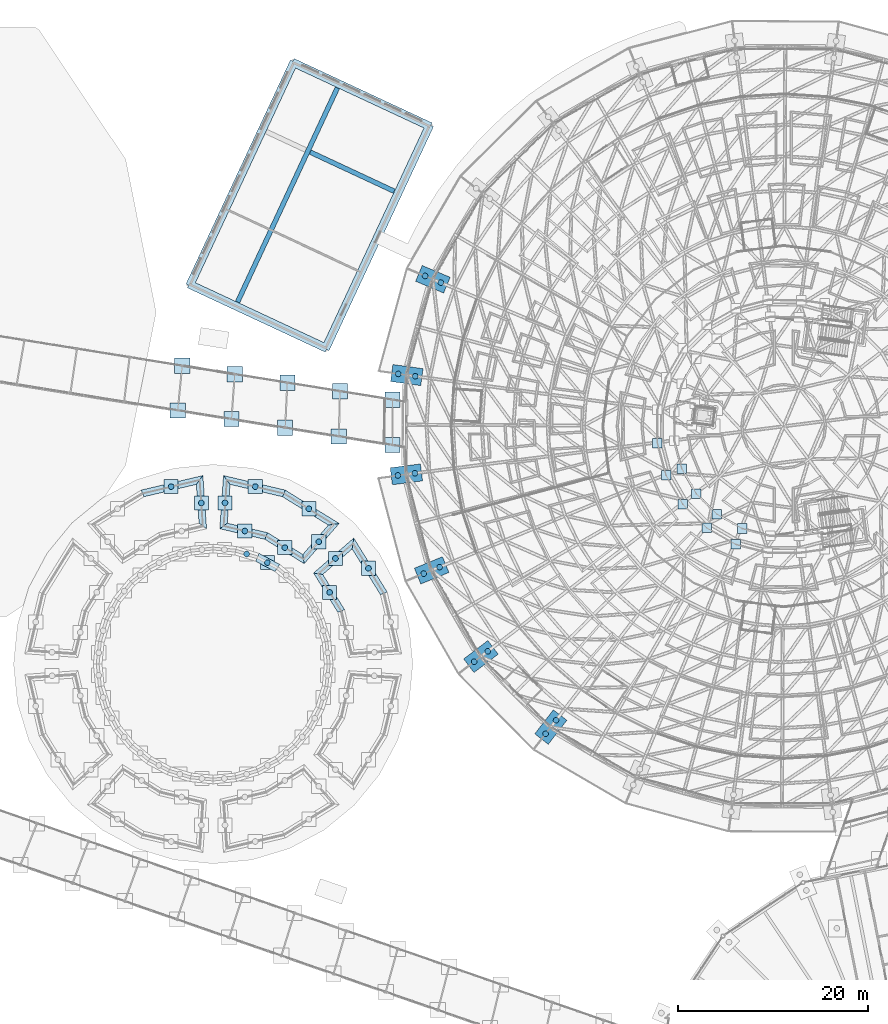
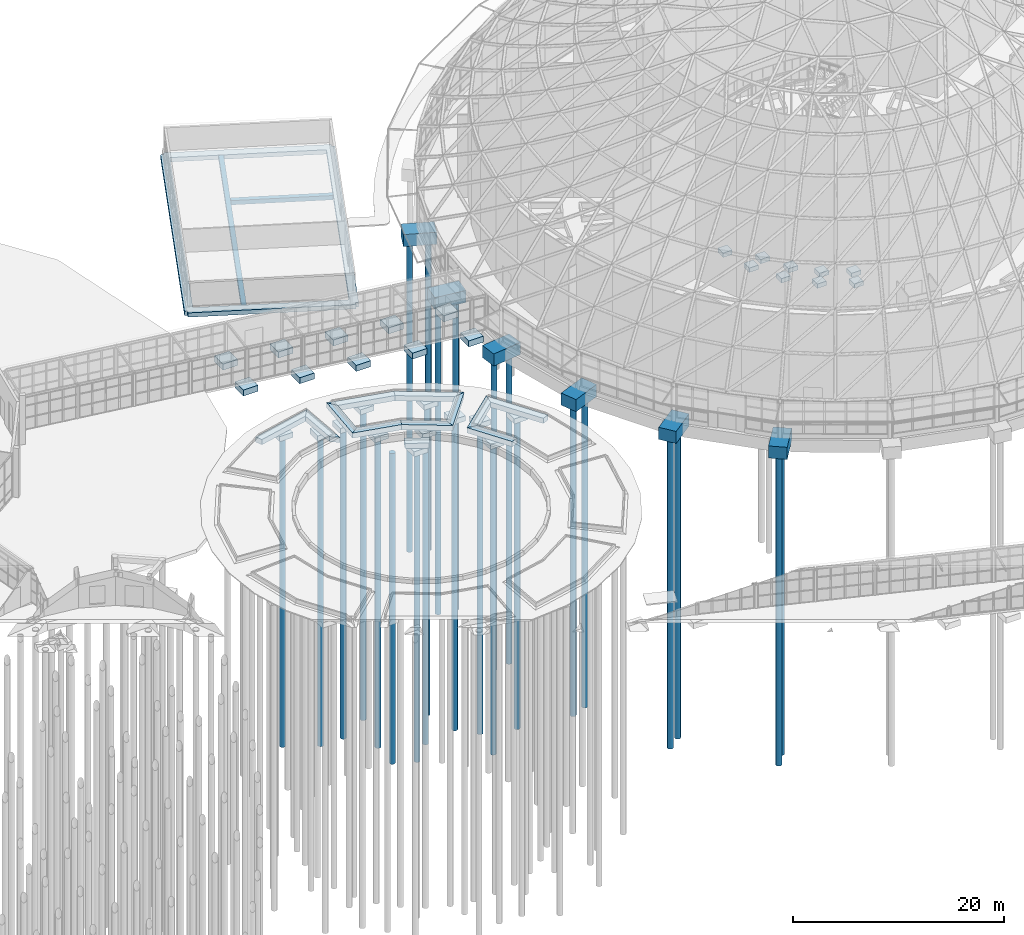
# One storey, part 6 of 226: 52 footings, 25 piles.
"""IFC4 building model written with IfcOpenShell, lengths in metres."""

from ifc_helpers import new_model, si_unit, direction, frame, origin, origin_2d, place, context, subcontext, project, spatial, polyline, circle, outline, extrude, material, layer, layer_set, material_profile, profile_set, type_object, element, save


model = new_model("IFC4")

# Units and contexts
model_context = context("Model", 3, precision=1e-05, world=origin(), true_north=direction((0.0, 1.0)))
body_context = subcontext(model_context, "Body", "Model", "MODEL_VIEW")
ifc_project = project(units=[si_unit("LENGTHUNIT", "METRE"), si_unit("AREAUNIT", "SQUARE_METRE"), si_unit("VOLUMEUNIT", "CUBIC_METRE"), si_unit("PLANEANGLEUNIT", "RADIAN"), si_unit("MASSUNIT", "GRAM", prefix="KILO")], contexts=[model_context])

# Site, building, storey
site_placement = place(None, origin())
site = spatial("IfcSite", under=ifc_project, at=site_placement, CompositionType="ELEMENT")
building_placement = place(site_placement, origin())
building = spatial("IfcBuilding", under=site, at=building_placement, Name="Ceibo Conservatory and Research Tower", CompositionType="ELEMENT")
storey_placement = place(building_placement, origin())
storey = spatial("IfcBuildingStorey", under=building, at=storey_placement, Name="L00", CompositionType="ELEMENT", Elevation=0.0)

# Footings
ifc_material_1 = material(Name="Concrete C40/50", Category="concrete")
ifc_layer_1 = layer(ifc_material_1, 0.5)
ifc_layer_set_1 = layer_set([ifc_layer_1], Name="Concrete C40/50")
footing_type_1 = type_object("IfcFootingType", Name="Annex strip footing 500", PredefinedType="STRIP_FOOTING", material=ifc_layer_set_1)
footing_1_placement = place(storey_placement, frame((0.0, 0.0, -0.75)))
element("IfcFooting", 1, at=footing_1_placement, inside=storey, type_object=footing_type_1, Name="Annex strip footing A-AXF1", PredefinedType="STRIP_FOOTING", context=body_context, shape_type="SweptSolid", body=[
    extrude(outline(polyline([(98.78515625, 120.964599609375), (109.29150390625, 143.49560546875), (108.83837890625, 143.706787109375), (98.33203125, 121.176025390625), (98.78515625, 120.964599609375)])), origin(), (0.0, 0.0, 1.0), 0.5),
])
footing_2_placement = place(storey_placement, frame((0.0, 0.0, -0.75)))
element("IfcFooting", 2, at=footing_2_placement, inside=storey, type_object=footing_type_1, Name="Annex strip footing A-AXF2", PredefinedType="STRIP_FOOTING", context=body_context, shape_type="SweptSolid", body=[
    extrude(outline(polyline([(115.14794921875, 132.95263671875), (106.3173828125, 137.0703125), (106.106201171875, 136.6171875), (114.9365234375, 132.49951171875), (115.14794921875, 132.95263671875)])), origin(), (0.0, 0.0, 1.0), 0.5),
])

# Piles
ifc_material_2 = material(Name="Concrete C35/45", Category="concrete")
ifc_material_profile = material_profile(ifc_material_2, circle(Radius=0.300048828125, at=origin_2d()), Name="RC D600")
ifc_profile_set = profile_set([ifc_material_profile], Name="Concrete C35/45")
pile_type = type_object("IfcPileType", Name="Bored pile D600", PredefinedType="BORED", material=ifc_profile_set)
for number, where, z_axis, x_axis, name in (
    (3, (119.94189453125, 123.120361328125, -1.300048828125), (0.0, 0.0, -1.0), (1.0, 0.0, 0.0), "Pile DA.CAP.L00.11 01"),
    (4, (118.281982421875, 123.81640625, -1.300048828125), (0.0, 0.0, -1.0), (1.0, 0.0, 0.0), "Pile DA.CAP.L00.11 02"),
    (5, (117.257080078125, 113.272705078125, -1.300048828125), (0.0, 0.0, -1.0), (1.0, 0.0, 0.0), "Pile DA.CAP.L00.12 01"),
    (6, (115.4736328125, 113.515380859375, -1.300048828125), (0.0, 0.0, -1.0), (1.0, 0.0, 0.0), "Pile DA.CAP.L00.12 02"),
    (7, (117.212646484375, 103.065673828125, -1.300048828125), (0.0, 0.0, -1.0), (1.0, 0.0, 0.0), "Pile DA.CAP.L00.13 01"),
    (8, (115.427001953125, 102.83837890625, -1.300048828125), (0.0, 0.0, -1.0), (1.0, 0.0, 0.0), "Pile DA.CAP.L00.13 02"),
    (9, (119.811279296875, 93.19482421875, -1.300048828125), (0.0, 0.0, -1.0), (1.0, 0.0, 0.0), "Pile DA.CAP.L00.14 01"),
    (10, (118.1455078125, 92.51318359375, -1.300048828125), (0.0, 0.0, -1.0), (1.0, 0.0, 0.0), "Pile DA.CAP.L00.14 02"),
    (11, (124.876220703125, 84.3330078125, -1.300048828125), (0.0, 0.0, -1.0), (1.0, 0.0, 0.0), "Pile DA.CAP.L00.15 01"),
    (12, (123.443603515625, 83.243408203125, -1.300048828125), (0.0, 0.0, -1.0), (1.0, 0.0, 0.0), "Pile DA.CAP.L00.15 02"),
    (13, (132.062255859375, 77.083984375, -1.300048828125), (0.0, 0.0, -1.0), (1.0, 0.0, 0.0), "Pile DA.CAP.L00.16 01"),
    (14, (130.960205078125, 75.660888671875, -1.300048828125), (0.0, 0.0, -1.0), (1.0, 0.0, 0.0), "Pile DA.CAP.L00.16 02"),
    (15, (101.7021484375, 93.66796875, -1.550048828125), (0.0, 0.0, -1.0), (1.0, 0.0, 0.0), "Pile CARRY.SITE.STRIP.COURT.BASIN.KERB.F06 01"),
    (16, (99.511474609375, 94.575439453125, -1.550048828125), (0.0, 0.0, -1.0), (1.0, 0.0, 0.0), "Pile CARRY.SITE.STRIP.COURT.BASIN.KERB.F07 01"),
    (17, (112.328369140625, 93.065673828125, -1.10009765625), (0.0, 0.0, -1.0), (1.0, 0.0, 0.0), "Pile CARRY.SITE.STRIP.COURT.PB1.KERB.F03 01"),
    (18, (108.859619140625, 94.105224609375, -1.10009765625), (0.0, 0.0, -1.0), (1.0, 0.0, 0.0), "Pile CARRY.SITE.STRIP.COURT.PB1.KERB.F04 01"),
    (19, (108.245849609375, 90.537353515625, -1.10009765625), (0.0, 0.0, -1.0), (1.0, 0.0, 0.0), "Pile CARRY.SITE.STRIP.COURT.PB1.KERB.F05 01"),
    (20, (107.105224609375, 95.859619140625, -1.10009765625), (0.0, 0.0, -1.0), (1.0, 0.0, 0.0), "Pile CARRY.SITE.STRIP.COURT.PB2.KERB.F01 01"),
    (21, (106.065673828125, 99.328369140625, -1.10009765625), (0.0, 0.0, -1.0), (1.0, 0.0, 0.0), "Pile CARRY.SITE.STRIP.COURT.PB2.KERB.F02 01"),
    (22, (100.428466796875, 101.663330078125, -1.10009765625), (0.0, 0.0, -1.0), (1.0, 0.0, 0.0), "Pile CARRY.SITE.STRIP.COURT.PB2.KERB.F03 01"),
    (23, (97.240478515625, 99.94580078125, -1.10009765625), (0.0, 0.0, -1.0), (1.0, 0.0, 0.0), "Pile CARRY.SITE.STRIP.COURT.PB2.KERB.F04 01"),
    (24, (99.329345703125, 96.98876953125, -1.10009765625), (0.0, 0.0, -1.0), (1.0, 0.0, 0.0), "Pile CARRY.SITE.STRIP.COURT.PB2.KERB.F05 01"),
    (25, (103.537353515625, 95.245849609375, -1.10009765625), (0.0, 0.0, -1.0), (1.0, 0.0, 0.0), "Pile CARRY.SITE.STRIP.COURT.PB2.KERB.F06 01"),
    (26, (94.759521484375, 99.94580078125, -1.10009765625), (0.0, 0.0, -1.0), (1.0, 0.0, 0.0), "Pile CARRY.SITE.STRIP.COURT.PB3.KERB.F01 01"),
    (27, (91.571533203125, 101.663330078125, -1.10009765625), (0.0, 0.0, -1.0), (1.0, 0.0, 0.0), "Pile CARRY.SITE.STRIP.COURT.PB3.KERB.F02 01"),
):
    element("IfcPile", number, at=place(storey_placement, frame(where, z_axis=z_axis, x_axis=x_axis)), inside=storey, type_object=pile_type, Name=name, PredefinedType="BORED", context=body_context, shape_type="SweptSolid", body=[
        extrude(circle(Radius=0.300048828125, at=origin_2d()), origin(), (0.0, 0.0, 1.0), 36.0),
    ])

# Footings
ifc_layer_2 = layer(ifc_material_1, 0.699951171875)
ifc_layer_set_2 = layer_set([ifc_layer_2], Name="Concrete C40/50")
footing_type_2 = type_object("IfcFootingType", Name="Pad footing 1600x1600x700", PredefinedType="PAD_FOOTING", material=ifc_layer_set_2)
footing_3_placement = place(storey_placement, frame((0.0, 0.0, -0.949951171875)))
element("IfcFooting", 28, at=footing_3_placement, inside=storey, type_object=footing_type_2, Name="Pad footing GAL.CAP.L00.A-RT.N01", PredefinedType="PAD_FOOTING", context=body_context, shape_type="SweptSolid", body=[
    extrude(outline(polyline([(114.05126953125, 105.2333984375), (115.6513671875, 105.2333984375), (115.6513671875, 106.833251953125), (114.05126953125, 106.833251953125), (114.05126953125, 105.2333984375)])), origin(), (0.0, 0.0, 1.0), 0.699951171875),
])
footing_4_placement = place(storey_placement, frame((0.0, 0.0, -0.949951171875)))
element("IfcFooting", 29, at=footing_4_placement, inside=storey, type_object=footing_type_2, Name="Pad footing GAL.CAP.L00.A-RT.S01", PredefinedType="PAD_FOOTING", context=body_context, shape_type="SweptSolid", body=[
    extrude(outline(polyline([(114.072021484375, 109.990966796875), (115.672119140625, 109.990966796875), (115.672119140625, 111.5908203125), (114.072021484375, 111.5908203125), (114.072021484375, 109.990966796875)])), origin(), (0.0, 0.0, 1.0), 0.699951171875),
])
footing_5_placement = place(storey_placement, frame((0.0, 0.0, -0.949951171875)))
element("IfcFooting", 30, at=footing_5_placement, inside=storey, type_object=footing_type_2, Name="Pad footing GAL.CAP.L00.A-RT.N02", PredefinedType="PAD_FOOTING", context=body_context, shape_type="SweptSolid", body=[
    extrude(outline(polyline([(108.40625, 106.144775390625), (110.00634765625, 106.144775390625), (110.00634765625, 107.744873046875), (108.40625, 107.744873046875), (108.40625, 106.144775390625)])), origin(), (0.0, 0.0, 1.0), 0.699951171875),
])
footing_6_placement = place(storey_placement, frame((0.0, 0.0, -0.949951171875)))
element("IfcFooting", 31, at=footing_6_placement, inside=storey, type_object=footing_type_2, Name="Pad footing GAL.CAP.L00.A-RT.S02", PredefinedType="PAD_FOOTING", context=body_context, shape_type="SweptSolid", body=[
    extrude(outline(polyline([(108.539306640625, 110.88427734375), (110.13916015625, 110.88427734375), (110.13916015625, 112.484130859375), (108.539306640625, 112.484130859375), (108.539306640625, 110.88427734375)])), origin(), (0.0, 0.0, 1.0), 0.699951171875),
])
footing_7_placement = place(storey_placement, frame((0.0, 0.0, -0.949951171875)))
element("IfcFooting", 32, at=footing_7_placement, inside=storey, type_object=footing_type_2, Name="Pad footing GAL.CAP.L00.A-RT.N03", PredefinedType="PAD_FOOTING", context=body_context, shape_type="SweptSolid", body=[
    extrude(outline(polyline([(102.76123046875, 107.05615234375), (104.361328125, 107.05615234375), (104.361328125, 108.65625), (102.76123046875, 108.65625), (102.76123046875, 107.05615234375)])), origin(), (0.0, 0.0, 1.0), 0.699951171875),
])
footing_8_placement = place(storey_placement, frame((0.0, 0.0, -0.949951171875)))
element("IfcFooting", 33, at=footing_8_placement, inside=storey, type_object=footing_type_2, Name="Pad footing GAL.CAP.L00.A-RT.S03", PredefinedType="PAD_FOOTING", context=body_context, shape_type="SweptSolid", body=[
    extrude(outline(polyline([(103.00634765625, 111.777587890625), (104.606201171875, 111.777587890625), (104.606201171875, 113.37744140625), (103.00634765625, 113.37744140625), (103.00634765625, 111.777587890625)])), origin(), (0.0, 0.0, 1.0), 0.699951171875),
])
footing_9_placement = place(storey_placement, frame((0.0, 0.0, -0.949951171875)))
element("IfcFooting", 34, at=footing_9_placement, inside=storey, type_object=footing_type_2, Name="Pad footing GAL.CAP.L00.A-RT.N04", PredefinedType="PAD_FOOTING", context=body_context, shape_type="SweptSolid", body=[
    extrude(outline(polyline([(97.1162109375, 107.967529296875), (98.71630859375, 107.967529296875), (98.71630859375, 109.567626953125), (97.1162109375, 109.567626953125), (97.1162109375, 107.967529296875)])), origin(), (0.0, 0.0, 1.0), 0.699951171875),
])
footing_10_placement = place(storey_placement, frame((0.0, 0.0, -0.949951171875)))
element("IfcFooting", 35, at=footing_10_placement, inside=storey, type_object=footing_type_2, Name="Pad footing GAL.CAP.L00.A-RT.S04", PredefinedType="PAD_FOOTING", context=body_context, shape_type="SweptSolid", body=[
    extrude(outline(polyline([(97.473388671875, 112.6708984375), (99.0732421875, 112.6708984375), (99.0732421875, 114.270751953125), (97.473388671875, 114.270751953125), (97.473388671875, 112.6708984375)])), origin(), (0.0, 0.0, 1.0), 0.699951171875),
])
footing_11_placement = place(storey_placement, frame((0.0, 0.0, -0.949951171875)))
element("IfcFooting", 36, at=footing_11_placement, inside=storey, type_object=footing_type_2, Name="Pad footing GAL.CAP.L00.A-RT.N05", PredefinedType="PAD_FOOTING", context=body_context, shape_type="SweptSolid", body=[
    extrude(outline(polyline([(91.47119140625, 108.879150390625), (93.0712890625, 108.879150390625), (93.0712890625, 110.47900390625), (91.47119140625, 110.47900390625), (91.47119140625, 108.879150390625)])), origin(), (0.0, 0.0, 1.0), 0.699951171875),
])
footing_12_placement = place(storey_placement, frame((0.0, 0.0, -0.949951171875)))
element("IfcFooting", 37, at=footing_12_placement, inside=storey, type_object=footing_type_2, Name="Pad footing GAL.CAP.L00.A-RT.S05", PredefinedType="PAD_FOOTING", context=body_context, shape_type="SweptSolid", body=[
    extrude(outline(polyline([(91.9404296875, 113.564208984375), (93.540283203125, 113.564208984375), (93.540283203125, 115.1640625), (91.9404296875, 115.1640625), (91.9404296875, 113.564208984375)])), origin(), (0.0, 0.0, 1.0), 0.699951171875),
])
ifc_layer_3 = layer(ifc_material_1, 0.60009765625)
ifc_layer_set_3 = layer_set([ifc_layer_3], Name="Concrete C40/50")
footing_type_3 = type_object("IfcFootingType", Name="Pile cap 1500x1500x600", PredefinedType="PILE_CAP", material=ifc_layer_set_3)
footing_13_placement = place(storey_placement, frame((0.0, 0.0, -1.64990234375)))
element("IfcFooting", 38, at=footing_13_placement, inside=storey, type_object=footing_type_3, Name="Pile cap CARRY.SITE.STRIP.COURT.BASIN.KERB.F06", PredefinedType="PILE_CAP", context=body_context, shape_type="SweptSolid", body=[
    extrude(outline(polyline([(102.4521484375, 92.91796875), (102.4521484375, 94.41796875), (100.9521484375, 94.41796875), (100.9521484375, 92.91796875), (102.4521484375, 92.91796875)])), origin(), (0.0, 0.0, 1.0), 0.599853515625),
])
footing_14_placement = place(storey_placement, frame((0.0, 0.0, -1.199951171875)))
element("IfcFooting", 39, at=footing_14_placement, inside=storey, type_object=footing_type_3, Name="Pile cap CARRY.SITE.STRIP.COURT.PB1.KERB.F03", PredefinedType="PILE_CAP", context=body_context, shape_type="SweptSolid", body=[
    extrude(outline(polyline([(113.078369140625, 92.315673828125), (113.078369140625, 93.815673828125), (111.578369140625, 93.815673828125), (111.578369140625, 92.315673828125), (113.078369140625, 92.315673828125)])), origin(), (0.0, 0.0, 1.0), 0.599853515625),
])
footing_15_placement = place(storey_placement, frame((0.0, 0.0, -1.199951171875)))
element("IfcFooting", 40, at=footing_15_placement, inside=storey, type_object=footing_type_3, Name="Pile cap CARRY.SITE.STRIP.COURT.PB1.KERB.F04", PredefinedType="PILE_CAP", context=body_context, shape_type="SweptSolid", body=[
    extrude(outline(polyline([(109.609619140625, 93.355224609375), (109.609619140625, 94.855224609375), (108.109619140625, 94.855224609375), (108.109619140625, 93.355224609375), (109.609619140625, 93.355224609375)])), origin(), (0.0, 0.0, 1.0), 0.599853515625),
])
footing_16_placement = place(storey_placement, frame((0.0, 0.0, -1.199951171875)))
element("IfcFooting", 41, at=footing_16_placement, inside=storey, type_object=footing_type_3, Name="Pile cap CARRY.SITE.STRIP.COURT.PB1.KERB.F05", PredefinedType="PILE_CAP", context=body_context, shape_type="SweptSolid", body=[
    extrude(outline(polyline([(108.995849609375, 89.787353515625), (108.995849609375, 91.287353515625), (107.495849609375, 91.287353515625), (107.495849609375, 89.787353515625), (108.995849609375, 89.787353515625)])), origin(), (0.0, 0.0, 1.0), 0.599853515625),
])
footing_17_placement = place(storey_placement, frame((0.0, 0.0, -1.199951171875)))
element("IfcFooting", 42, at=footing_17_placement, inside=storey, type_object=footing_type_3, Name="Pile cap CARRY.SITE.STRIP.COURT.PB2.KERB.F01", PredefinedType="PILE_CAP", context=body_context, shape_type="SweptSolid", body=[
    extrude(outline(polyline([(107.855224609375, 95.109619140625), (107.855224609375, 96.609619140625), (106.355224609375, 96.609619140625), (106.355224609375, 95.109619140625), (107.855224609375, 95.109619140625)])), origin(), (0.0, 0.0, 1.0), 0.599853515625),
])
footing_18_placement = place(storey_placement, frame((0.0, 0.0, -1.199951171875)))
element("IfcFooting", 43, at=footing_18_placement, inside=storey, type_object=footing_type_3, Name="Pile cap CARRY.SITE.STRIP.COURT.PB2.KERB.F02", PredefinedType="PILE_CAP", context=body_context, shape_type="SweptSolid", body=[
    extrude(outline(polyline([(106.815673828125, 98.578369140625), (106.815673828125, 100.078369140625), (105.315673828125, 100.078369140625), (105.315673828125, 98.578369140625), (106.815673828125, 98.578369140625)])), origin(), (0.0, 0.0, 1.0), 0.599853515625),
])
footing_19_placement = place(storey_placement, frame((0.0, 0.0, -1.199951171875)))
element("IfcFooting", 44, at=footing_19_placement, inside=storey, type_object=footing_type_3, Name="Pile cap CARRY.SITE.STRIP.COURT.PB2.KERB.F03", PredefinedType="PILE_CAP", context=body_context, shape_type="SweptSolid", body=[
    extrude(outline(polyline([(101.178466796875, 100.913330078125), (101.178466796875, 102.413330078125), (99.678466796875, 102.413330078125), (99.678466796875, 100.913330078125), (101.178466796875, 100.913330078125)])), origin(), (0.0, 0.0, 1.0), 0.599853515625),
])
footing_20_placement = place(storey_placement, frame((0.0, 0.0, -1.199951171875)))
element("IfcFooting", 45, at=footing_20_placement, inside=storey, type_object=footing_type_3, Name="Pile cap CARRY.SITE.STRIP.COURT.PB2.KERB.F04", PredefinedType="PILE_CAP", context=body_context, shape_type="SweptSolid", body=[
    extrude(outline(polyline([(97.990478515625, 99.19580078125), (97.990478515625, 100.69580078125), (96.490478515625, 100.69580078125), (96.490478515625, 99.19580078125), (97.990478515625, 99.19580078125)])), origin(), (0.0, 0.0, 1.0), 0.599853515625),
])
footing_21_placement = place(storey_placement, frame((0.0, 0.0, -1.199951171875)))
element("IfcFooting", 46, at=footing_21_placement, inside=storey, type_object=footing_type_3, Name="Pile cap CARRY.SITE.STRIP.COURT.PB2.KERB.F05", PredefinedType="PILE_CAP", context=body_context, shape_type="SweptSolid", body=[
    extrude(outline(polyline([(100.079345703125, 96.23876953125), (100.079345703125, 97.73876953125), (98.579345703125, 97.73876953125), (98.579345703125, 96.23876953125), (100.079345703125, 96.23876953125)])), origin(), (0.0, 0.0, 1.0), 0.599853515625),
])
footing_22_placement = place(storey_placement, frame((0.0, 0.0, -1.199951171875)))
element("IfcFooting", 47, at=footing_22_placement, inside=storey, type_object=footing_type_3, Name="Pile cap CARRY.SITE.STRIP.COURT.PB2.KERB.F06", PredefinedType="PILE_CAP", context=body_context, shape_type="SweptSolid", body=[
    extrude(outline(polyline([(104.287353515625, 94.495849609375), (104.287353515625, 95.995849609375), (102.787353515625, 95.995849609375), (102.787353515625, 94.495849609375), (104.287353515625, 94.495849609375)])), origin(), (0.0, 0.0, 1.0), 0.599853515625),
])
footing_23_placement = place(storey_placement, frame((0.0, 0.0, -1.199951171875)))
element("IfcFooting", 48, at=footing_23_placement, inside=storey, type_object=footing_type_3, Name="Pile cap CARRY.SITE.STRIP.COURT.PB3.KERB.F01", PredefinedType="PILE_CAP", context=body_context, shape_type="SweptSolid", body=[
    extrude(outline(polyline([(95.509521484375, 99.19580078125), (95.509521484375, 100.69580078125), (94.009521484375, 100.69580078125), (94.009521484375, 99.19580078125), (95.509521484375, 99.19580078125)])), origin(), (0.0, 0.0, 1.0), 0.599853515625),
])
footing_24_placement = place(storey_placement, frame((0.0, 0.0, -1.199951171875)))
element("IfcFooting", 49, at=footing_24_placement, inside=storey, type_object=footing_type_3, Name="Pile cap CARRY.SITE.STRIP.COURT.PB3.KERB.F02", PredefinedType="PILE_CAP", context=body_context, shape_type="SweptSolid", body=[
    extrude(outline(polyline([(92.321533203125, 100.913330078125), (92.321533203125, 102.413330078125), (90.821533203125, 102.413330078125), (90.821533203125, 100.913330078125), (92.321533203125, 100.913330078125)])), origin(), (0.0, 0.0, 1.0), 0.599853515625),
])
ifc_layer_4 = layer(ifc_material_1, 1.39990234375)
ifc_layer_set_4 = layer_set([ifc_layer_4], Name="Concrete C40/50")
footing_type_4 = type_object("IfcFootingType", Name="Pile cap 3200x1800x1400", PredefinedType="PILE_CAP", material=ifc_layer_set_4)
for number, where, z_axis, x_axis, name in (
    (50, (120.935546875, 123.6796875, -1.39990234375), (0.0, 0.0, 1.0), (-0.922200975168, 0.386710953296, 0.0), "Pile cap DA.CAP.L00.11"),
    (51, (118.072021484375, 114.070068359375, -1.39990234375), (0.0, 0.0, 1.0), (-0.990865897151, 0.134850932009, 0.0), "Pile cap DA.CAP.L00.12"),
    (52, (117.79345703125, 104.046875, -1.39990234375), (0.0, 0.0, 1.0), (-0.992004938793, -0.126199054713, 0.0), "Pile cap DA.CAP.L00.13"),
    (53, (120.118408203125, 94.29296875, -1.39990234375), (0.0, 0.0, 1.0), (-0.925540584393, -0.378648420887, 0.0), "Pile cap DA.CAP.L00.14"),
    (54, (124.888671875, 85.47314453125, -1.39990234375), (0.0, 0.0, 1.0), (-0.796002034428, -0.605293946101, 0.0), "Pile cap DA.CAP.L00.15"),
    (55, (131.779296875, 78.1884765625, -1.39990234375), (0.0, 0.0, 1.0), (-0.612217167116, -0.790689661174, 0.0), "Pile cap DA.CAP.L00.16"),
):
    element("IfcFooting", number, at=place(storey_placement, frame(where, z_axis=z_axis, x_axis=x_axis)), inside=storey, type_object=footing_type_4, Name=name, PredefinedType="PILE_CAP", context=body_context, shape_type="SweptSolid", body=[
        extrude(outline(polyline([(0.0, 0.0), (3.199951171875, 0.0), (3.199951171875, 1.800048828125), (0.0, 1.800048828125), (0.0, 0.0)])), origin(), (0.0, 0.0, 1.0), 1.39990234375),
    ])
ifc_layer_5 = layer(ifc_material_1, 0.5)
ifc_layer_set_5 = layer_set([ifc_layer_5], Name="Concrete C40/50")
footing_type_5 = type_object("IfcFootingType", Name="Pile cap combined 500", PredefinedType="PILE_CAP", material=ifc_layer_set_5)
footing_25_placement = place(storey_placement, frame((0.0, 0.0, -0.75)))
element("IfcFooting", 56, at=footing_25_placement, inside=storey, type_object=footing_type_5, Name="Pile cap DA.ASC.L00.01.J", PredefinedType="PILE_CAP", context=body_context, shape_type="SweptSolid", body=[
    extrude(outline(polyline([(93.28173828125, 122.571044921875), (107.78271484375, 115.80908203125), (107.909423828125, 116.0810546875), (108.181396484375, 115.954345703125), (119.16943359375, 139.518310546875), (118.8974609375, 139.64501953125), (119.0244140625, 139.9169921875), (104.5234375, 146.678955078125), (104.396728515625, 146.406982421875), (104.124755859375, 146.53369140625), (93.13671875, 122.9697265625), (93.40869140625, 122.843017578125), (93.28173828125, 122.571044921875)]), holes=[polyline([(107.6435546875, 116.81201171875), (118.166748046875, 139.379150390625), (104.66259765625, 145.676025390625), (94.139404296875, 123.10888671875), (107.6435546875, 116.81201171875)])]), origin(), (0.0, 0.0, 1.0), 0.5),
])
ifc_layer_6 = layer(ifc_material_1, 0.60009765625)
ifc_layer_set_6 = layer_set([ifc_layer_6], Name="Concrete C40/50")
footing_type_6 = type_object("IfcFootingType", Name="Strip footing 750x600", PredefinedType="STRIP_FOOTING", material=ifc_layer_set_6)
footing_26_placement = place(storey_placement, frame((0.0, 0.0, -0.60009765625)))
element("IfcFooting", 57, at=footing_26_placement, inside=storey, type_object=footing_type_6, Name="Strip footing SITE.STRIP.COURT.PB1.KERB.F03", PredefinedType="STRIP_FOOTING", context=body_context, shape_type="SweptSolid", body=[
    extrude(outline(polyline([(114.29638671875, 90.57861328125), (110.786376953125, 96.2509765625), (110.612548828125, 95.1064453125), (113.594482421875, 90.287841796875), (114.29638671875, 90.57861328125)])), origin(), (0.0, 0.0, 1.0), 0.60009765625),
])
footing_27_placement = place(storey_placement, frame((0.0, 0.0, -0.60009765625)))
element("IfcFooting", 58, at=footing_27_placement, inside=storey, type_object=footing_type_6, Name="Strip footing SITE.STRIP.COURT.PB1.KERB.F04", PredefinedType="STRIP_FOOTING", context=body_context, shape_type="SweptSolid", body=[
    extrude(outline(polyline([(110.786376953125, 96.2509765625), (106.553955078125, 92.572021484375), (107.52734375, 92.42431640625), (110.612548828125, 95.1064453125), (110.786376953125, 96.2509765625)])), origin(), (0.0, 0.0, 1.0), 0.60009765625),
])
footing_28_placement = place(storey_placement, frame((0.0, 0.0, -0.60009765625)))
element("IfcFooting", 59, at=footing_28_placement, inside=storey, type_object=footing_type_6, Name="Strip footing SITE.STRIP.COURT.PB1.KERB.F05", PredefinedType="STRIP_FOOTING", context=body_context, shape_type="SweptSolid", body=[
    extrude(outline(polyline([(106.553955078125, 92.572021484375), (109.115478515625, 88.4326171875), (109.8173828125, 88.723388671875), (107.52734375, 92.42431640625), (106.553955078125, 92.572021484375)])), origin(), (0.0, 0.0, 1.0), 0.60009765625),
])
footing_29_placement = place(storey_placement, frame((0.0, 0.0, -0.60009765625)))
element("IfcFooting", 60, at=footing_29_placement, inside=storey, type_object=footing_type_6, Name="Strip footing SITE.STRIP.COURT.PB2.KERB.F01", PredefinedType="STRIP_FOOTING", context=body_context, shape_type="SweptSolid", body=[
    extrude(outline(polyline([(105.572021484375, 93.553955078125), (109.2509765625, 97.786376953125), (108.1064453125, 97.612548828125), (105.42431640625, 94.52734375), (105.572021484375, 93.553955078125)])), origin(), (0.0, 0.0, 1.0), 0.60009765625),
])
footing_30_placement = place(storey_placement, frame((0.0, 0.0, -0.60009765625)))
element("IfcFooting", 61, at=footing_30_placement, inside=storey, type_object=footing_type_6, Name="Strip footing SITE.STRIP.COURT.PB2.KERB.F02", PredefinedType="STRIP_FOOTING", context=body_context, shape_type="SweptSolid", body=[
    extrude(outline(polyline([(109.2509765625, 97.786376953125), (103.57861328125, 101.29638671875), (103.287841796875, 100.594482421875), (108.1064453125, 97.612548828125), (109.2509765625, 97.786376953125)])), origin(), (0.0, 0.0, 1.0), 0.60009765625),
])
footing_31_placement = place(storey_placement, frame((0.0, 0.0, -0.60009765625)))
element("IfcFooting", 62, at=footing_31_placement, inside=storey, type_object=footing_type_6, Name="Strip footing SITE.STRIP.COURT.PB2.KERB.F03", PredefinedType="STRIP_FOOTING", context=body_context, shape_type="SweptSolid", body=[
    extrude(outline(polyline([(103.57861328125, 101.29638671875), (97.085693359375, 102.825439453125), (97.772216796875, 101.89306640625), (103.287841796875, 100.594482421875), (103.57861328125, 101.29638671875)])), origin(), (0.0, 0.0, 1.0), 0.60009765625),
])
footing_32_placement = place(storey_placement, frame((0.0, 0.0, -0.60009765625)))
element("IfcFooting", 63, at=footing_32_placement, inside=storey, type_object=footing_type_6, Name="Strip footing SITE.STRIP.COURT.PB2.KERB.F04", PredefinedType="STRIP_FOOTING", context=body_context, shape_type="SweptSolid", body=[
    extrude(outline(polyline([(97.085693359375, 102.825439453125), (96.6943359375, 97.231201171875), (97.487060546875, 97.81494140625), (97.772216796875, 101.89306640625), (97.085693359375, 102.825439453125)])), origin(), (0.0, 0.0, 1.0), 0.60009765625),
])
footing_33_placement = place(storey_placement, frame((0.0, 0.0, -0.60009765625)))
element("IfcFooting", 64, at=footing_33_placement, inside=storey, type_object=footing_type_6, Name="Strip footing SITE.STRIP.COURT.PB2.KERB.F05", PredefinedType="STRIP_FOOTING", context=body_context, shape_type="SweptSolid", body=[
    extrude(outline(polyline([(96.6943359375, 97.231201171875), (101.4326171875, 96.115478515625), (101.723388671875, 96.8173828125), (97.487060546875, 97.81494140625), (96.6943359375, 97.231201171875)])), origin(), (0.0, 0.0, 1.0), 0.60009765625),
])
footing_34_placement = place(storey_placement, frame((0.0, 0.0, -0.60009765625)))
element("IfcFooting", 65, at=footing_34_placement, inside=storey, type_object=footing_type_6, Name="Strip footing SITE.STRIP.COURT.PB2.KERB.F06", PredefinedType="STRIP_FOOTING", context=body_context, shape_type="SweptSolid", body=[
    extrude(outline(polyline([(101.4326171875, 96.115478515625), (105.572021484375, 93.553955078125), (105.42431640625, 94.52734375), (101.723388671875, 96.8173828125), (101.4326171875, 96.115478515625)])), origin(), (0.0, 0.0, 1.0), 0.60009765625),
])
footing_35_placement = place(storey_placement, frame((0.0, 0.0, -0.60009765625)))
element("IfcFooting", 66, at=footing_35_placement, inside=storey, type_object=footing_type_6, Name="Strip footing SITE.STRIP.COURT.PB3.KERB.F01", PredefinedType="STRIP_FOOTING", context=body_context, shape_type="SweptSolid", body=[
    extrude(outline(polyline([(95.3056640625, 97.231201171875), (94.914306640625, 102.825439453125), (94.227783203125, 101.89306640625), (94.512939453125, 97.81494140625), (95.3056640625, 97.231201171875)])), origin(), (0.0, 0.0, 1.0), 0.60009765625),
])
footing_36_placement = place(storey_placement, frame((0.0, 0.0, -0.60009765625)))
element("IfcFooting", 67, at=footing_36_placement, inside=storey, type_object=footing_type_6, Name="Strip footing SITE.STRIP.COURT.PB3.KERB.F02", PredefinedType="STRIP_FOOTING", context=body_context, shape_type="SweptSolid", body=[
    extrude(outline(polyline([(94.914306640625, 102.825439453125), (88.42138671875, 101.29638671875), (88.712158203125, 100.594482421875), (94.227783203125, 101.89306640625), (94.914306640625, 102.825439453125)])), origin(), (0.0, 0.0, 1.0), 0.60009765625),
])
ifc_layer_7 = layer(ifc_material_1, 0.60009765625)
ifc_layer_set_7 = layer_set([ifc_layer_7], Name="Concrete C40/50")
footing_type_7 = type_object("IfcFootingType", Name="Strip footing 900x600", PredefinedType="STRIP_FOOTING", material=ifc_layer_set_7)
footing_37_placement = place(storey_placement, frame((0.0, 0.0, -1.050048828125)))
element("IfcFooting", 68, at=footing_37_placement, inside=storey, type_object=footing_type_7, Name="Strip footing SITE.STRIP.COURT.BASIN.KERB.F06", PredefinedType="STRIP_FOOTING", context=body_context, shape_type="SweptSolid", body=[
    extrude(outline(polyline([(103.0009765625, 93.477783203125), (100.822265625, 94.642333984375), (100.476318359375, 93.806640625), (102.49853515625, 92.725830078125), (103.0009765625, 93.477783203125)])), origin(), (0.0, 0.0, 1.0), 0.60009765625),
])
ifc_layer_8 = layer(ifc_material_1, 0.5)
ifc_layer_set_8 = layer_set([ifc_layer_8], Name="Concrete C40/50")
footing_type_8 = type_object("IfcFootingType", Name="Walkway pad footing 1000x1000x500", PredefinedType="PAD_FOOTING", material=ifc_layer_set_8)
footing_38_placement = place(storey_placement, frame((0.0, 0.0, -0.75)))
element("IfcFooting", 69, at=footing_38_placement, inside=storey, type_object=footing_type_8, Name="Walkway footing WK-C08O", PredefinedType="PAD_FOOTING", context=body_context, shape_type="SweptSolid", body=[
    extrude(outline(polyline([(142.2158203125, 105.741943359375), (143.2158203125, 105.741943359375), (143.2158203125, 106.741943359375), (142.2158203125, 106.741943359375), (142.2158203125, 105.741943359375)])), origin(), (0.0, 0.0, 1.0), 0.5),
])
footing_39_placement = place(storey_placement, frame((0.0, 0.0, -0.75)))
element("IfcFooting", 70, at=footing_39_placement, inside=storey, type_object=footing_type_8, Name="Walkway footing WK-C09O", PredefinedType="PAD_FOOTING", context=body_context, shape_type="SweptSolid", body=[
    extrude(outline(polyline([(143.13037109375, 102.34716796875), (144.13037109375, 102.34716796875), (144.13037109375, 103.34716796875), (143.13037109375, 103.34716796875), (143.13037109375, 102.34716796875)])), origin(), (0.0, 0.0, 1.0), 0.5),
])
footing_40_placement = place(storey_placement, frame((0.0, 0.0, -0.75)))
element("IfcFooting", 71, at=footing_40_placement, inside=storey, type_object=footing_type_8, Name="Walkway footing WK-C09I", PredefinedType="PAD_FOOTING", context=body_context, shape_type="SweptSolid", body=[
    extrude(outline(polyline([(144.7919921875, 103.039306640625), (145.7919921875, 103.039306640625), (145.7919921875, 104.039306640625), (144.7919921875, 104.039306640625), (144.7919921875, 103.039306640625)])), origin(), (0.0, 0.0, 1.0), 0.5),
])
footing_41_placement = place(storey_placement, frame((0.0, 0.0, -0.75)))
element("IfcFooting", 72, at=footing_41_placement, inside=storey, type_object=footing_type_8, Name="Walkway footing WK-C10O", PredefinedType="PAD_FOOTING", context=body_context, shape_type="SweptSolid", body=[
    extrude(outline(polyline([(144.896484375, 99.306884765625), (145.896484375, 99.306884765625), (145.896484375, 100.306884765625), (144.896484375, 100.306884765625), (144.896484375, 99.306884765625)])), origin(), (0.0, 0.0, 1.0), 0.5),
])
footing_42_placement = place(storey_placement, frame((0.0, 0.0, -0.75)))
element("IfcFooting", 73, at=footing_42_placement, inside=storey, type_object=footing_type_8, Name="Walkway footing WK-C10I", PredefinedType="PAD_FOOTING", context=body_context, shape_type="SweptSolid", body=[
    extrude(outline(polyline([(146.32080078125, 100.407470703125), (147.32080078125, 100.407470703125), (147.32080078125, 101.407470703125), (146.32080078125, 101.407470703125), (146.32080078125, 100.407470703125)])), origin(), (0.0, 0.0, 1.0), 0.5),
])
footing_43_placement = place(storey_placement, frame((0.0, 0.0, -0.75)))
element("IfcFooting", 74, at=footing_43_placement, inside=storey, type_object=footing_type_8, Name="Walkway footing WK-C11O", PredefinedType="PAD_FOOTING", context=body_context, shape_type="SweptSolid", body=[
    extrude(outline(polyline([(147.392578125, 96.830810546875), (148.392578125, 96.830810546875), (148.392578125, 97.830810546875), (147.392578125, 97.830810546875), (147.392578125, 96.830810546875)])), origin(), (0.0, 0.0, 1.0), 0.5),
])
footing_44_placement = place(storey_placement, frame((0.0, 0.0, -0.75)))
element("IfcFooting", 75, at=footing_44_placement, inside=storey, type_object=footing_type_8, Name="Walkway footing WK-C11I", PredefinedType="PAD_FOOTING", context=body_context, shape_type="SweptSolid", body=[
    extrude(outline(polyline([(148.481689453125, 98.263916015625), (149.481689453125, 98.263916015625), (149.481689453125, 99.263916015625), (148.481689453125, 99.263916015625), (148.481689453125, 98.263916015625)])), origin(), (0.0, 0.0, 1.0), 0.5),
])
footing_45_placement = place(storey_placement, frame((0.0, 0.0, -0.75)))
element("IfcFooting", 76, at=footing_45_placement, inside=storey, type_object=footing_type_8, Name="Walkway footing WK-C12O", PredefinedType="PAD_FOOTING", context=body_context, shape_type="SweptSolid", body=[
    extrude(outline(polyline([(150.447021484375, 95.08935546875), (151.447021484375, 95.08935546875), (151.447021484375, 96.08935546875), (150.447021484375, 96.08935546875), (150.447021484375, 95.08935546875)])), origin(), (0.0, 0.0, 1.0), 0.5),
])
footing_46_placement = place(storey_placement, frame((0.0, 0.0, -0.75)))
element("IfcFooting", 77, at=footing_46_placement, inside=storey, type_object=footing_type_8, Name="Walkway footing WK-C12I", PredefinedType="PAD_FOOTING", context=body_context, shape_type="SweptSolid", body=[
    extrude(outline(polyline([(151.125732421875, 96.75634765625), (152.125732421875, 96.75634765625), (152.125732421875, 97.75634765625), (151.125732421875, 97.75634765625), (151.125732421875, 96.75634765625)])), origin(), (0.0, 0.0, 1.0), 0.5),
])

save(model, "model.ifc")
